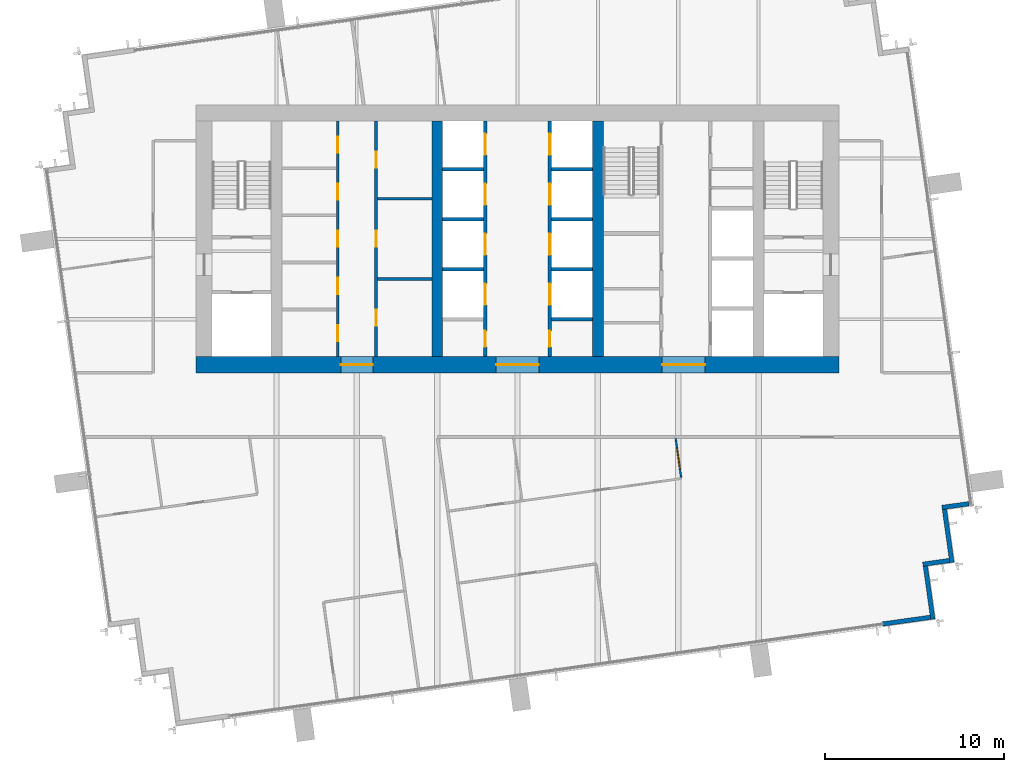
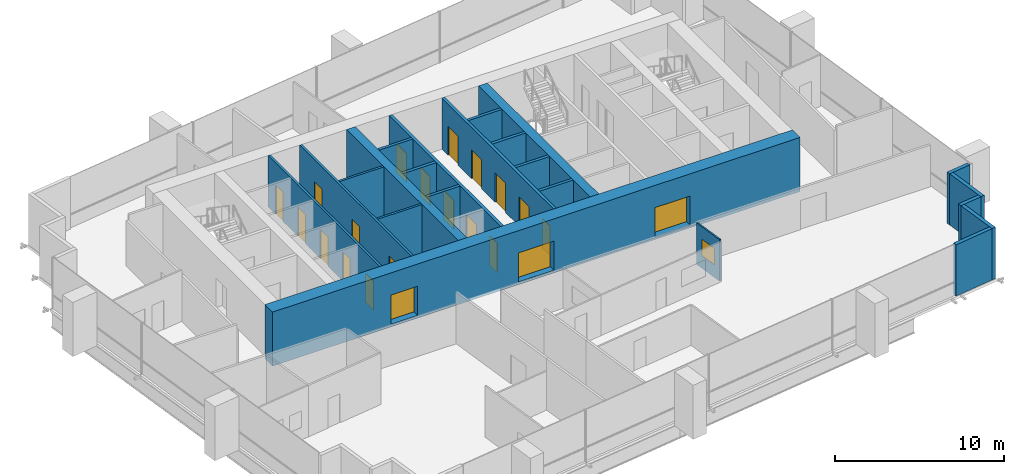
# One storey, part 9 of 12: 22 walls, 21 doors, 1 window, 22 openings.
"""IFC4 building model written with IfcOpenShell, lengths in metres."""

from ifc_helpers import new_model, si_unit, direction, frame, frame_2d, origin, place, context, subcontext, project, spatial, rectangle, extrude, material, layer, layer_set, type_object, element, fill, save


model = new_model("IFC4")

# Units and contexts
model_context = context("Model", 3, precision=1e-05, world=origin(), true_north=direction((0.0, 1.0)))
body_context = subcontext(model_context, "Body", "Model", "MODEL_VIEW")
ifc_project = project(units=[si_unit("LENGTHUNIT", "METRE"), si_unit("AREAUNIT", "SQUARE_METRE"), si_unit("VOLUMEUNIT", "CUBIC_METRE"), si_unit("PLANEANGLEUNIT", "RADIAN"), si_unit("MASSUNIT", "GRAM", prefix="KILO")], contexts=[model_context])

# Site, building, storey
site_placement = place(None, origin())
site = spatial("IfcSite", under=ifc_project, at=site_placement, CompositionType="ELEMENT")
building_placement = place(site_placement, origin())
building = spatial("IfcBuilding", under=site, at=building_placement, Name="Rattan Terrace Tower", CompositionType="ELEMENT")
storey_placement = place(building_placement, frame((0.0, 0.0, 259.0)))
storey = spatial("IfcBuildingStorey", under=building, at=storey_placement, Name="L59", CompositionType="ELEMENT", Elevation=259.0)

# Wall, openings, doors
ifc_material_1 = material(Name="Gypsum board partition")
ifc_layer_1 = layer(ifc_material_1, 0.14990234375)
ifc_layer_set_1 = layer_set([ifc_layer_1], Name="Core partition 150")
wall_type_1 = type_object("IfcWallType", Name="Core partition 150", PredefinedType="PARTITIONING", material=ifc_layer_set_1)
wall_1_placement = place(storey_placement, frame((-10.074951171875, -6.60009765625, 0.0), z_axis=(0.0, 0.0, 1.0), x_axis=(0.0, 1.0, 0.0)))
wall_1 = element("IfcWall", 1, at=wall_1_placement, inside=storey, type_object=wall_type_1, Name="Core room wall", PredefinedType="PARTITIONING", context=body_context, shape_type="SweptSolid", body=[
    extrude(rectangle(XDim=13.2001953125, YDim=0.14990234375, at=frame_2d((6.60009765625, 0.0))), origin(), (0.0, 0.0, 1.0), 3.699951171875),
])
opening_1_placement = place(wall_1_placement, frame((0.8701171875, 0.0, 0.0)))
opening_1 = element("IfcOpeningElement", 2, at=opening_1_placement, cuts=wall_1, Name="Opening L59-D005", PredefinedType="OPENING", context=body_context, shape_type="SweptSolid", body=[
    extrude(rectangle(XDim=0.89990234375, YDim=2.10009765625, at=frame_2d((0.449951171875, 1.050048828125))), frame((0.0, 0.08544921875, 0.0), z_axis=(0.0, -1.0, 0.0), x_axis=(1.0, 0.0, 0.0)), (0.0, 0.0, 1.0), 0.1708984375),
])
opening_2_placement = place(wall_1_placement, frame((3.510009765625, 0.0, 0.0)))
opening_2 = element("IfcOpeningElement", 3, at=opening_2_placement, cuts=wall_1, Name="Opening L59-D006", PredefinedType="OPENING", context=body_context, shape_type="SweptSolid", body=[
    extrude(rectangle(XDim=0.89990234375, YDim=2.10009765625, at=frame_2d((0.449951171875, 1.050048828125))), frame((0.0, 0.08544921875, 0.0), z_axis=(0.0, -1.0, 0.0), x_axis=(1.0, 0.0, 0.0)), (0.0, 0.0, 1.0), 0.1708984375),
])
opening_3_placement = place(wall_1_placement, frame((6.14990234375, 0.0, 0.0)))
opening_3 = element("IfcOpeningElement", 4, at=opening_3_placement, cuts=wall_1, Name="Opening L59-D007", PredefinedType="OPENING", context=body_context, shape_type="SweptSolid", body=[
    extrude(rectangle(XDim=0.89990234375, YDim=2.10009765625, at=frame_2d((0.449951171875, 1.050048828125))), frame((0.0, 0.08544921875, 0.0), z_axis=(0.0, -1.0, 0.0), x_axis=(1.0, 0.0, 0.0)), (0.0, 0.0, 1.0), 0.1708984375),
])
opening_4_placement = place(wall_1_placement, frame((8.7900390625, 0.0, 0.0)))
opening_4 = element("IfcOpeningElement", 5, at=opening_4_placement, cuts=wall_1, Name="Opening L59-D008", PredefinedType="OPENING", context=body_context, shape_type="SweptSolid", body=[
    extrude(rectangle(XDim=0.89990234375, YDim=2.10009765625, at=frame_2d((0.449951171875, 1.050048828125))), frame((0.0, 0.08544921875, 0.0), z_axis=(0.0, -1.0, 0.0), x_axis=(1.0, 0.0, 0.0)), (0.0, 0.0, 1.0), 0.1708984375),
])
opening_5_placement = place(wall_1_placement, frame((11.429931640625, 0.0, 0.0)))
opening_5 = element("IfcOpeningElement", 6, at=opening_5_placement, cuts=wall_1, Name="Opening L59-D009", PredefinedType="OPENING", context=body_context, shape_type="SweptSolid", body=[
    extrude(rectangle(XDim=0.89990234375, YDim=2.10009765625, at=frame_2d((0.449951171875, 1.050048828125))), frame((0.0, 0.08544921875, 0.0), z_axis=(0.0, -1.0, 0.0), x_axis=(1.0, 0.0, 0.0)), (0.0, 0.0, 1.0), 0.1708984375),
])
ifc_material_2 = material(Name="Hollow-metal fire door leaf")
door_type_1 = type_object("IfcDoorType", Name="Core service room door 900", OperationType="NOTDEFINED", PredefinedType="DOOR", material=ifc_material_2)
door_1_placement = place(opening_1_placement, origin())
door_1 = element("IfcDoor", 7, at=door_1_placement, inside=storey, type_object=door_type_1, Name="Door L59-D005", OperationType="SINGLE_SWING_LEFT", OverallHeight=2.10009765625, OverallWidth=0.89990234375, PredefinedType="DOOR", context=body_context, shape_type="SweptSolid", body=[
    extrude(rectangle(XDim=0.89990234375, YDim=2.10009765625, at=frame_2d((0.449951171875, 1.050048828125))), frame((0.0, 0.02490234375, 0.0), z_axis=(0.0, -1.0, 0.0), x_axis=(1.0, 0.0, 0.0)), (0.0, 0.0, 1.0), 0.050048828125),
])
fill(opening_1, door_1)
door_2_placement = place(opening_2_placement, origin())
door_2 = element("IfcDoor", 8, at=door_2_placement, inside=storey, type_object=door_type_1, Name="Door L59-D006", OperationType="SINGLE_SWING_RIGHT", OverallHeight=2.10009765625, OverallWidth=0.89990234375, PredefinedType="DOOR", context=body_context, shape_type="SweptSolid", body=[
    extrude(rectangle(XDim=0.89990234375, YDim=2.10009765625, at=frame_2d((0.449951171875, 1.050048828125))), frame((0.0, 0.02490234375, 0.0), z_axis=(0.0, -1.0, 0.0), x_axis=(1.0, 0.0, 0.0)), (0.0, 0.0, 1.0), 0.050048828125),
])
fill(opening_2, door_2)
door_3_placement = place(opening_3_placement, origin())
door_3 = element("IfcDoor", 9, at=door_3_placement, inside=storey, type_object=door_type_1, Name="Door L59-D007", OperationType="SINGLE_SWING_LEFT", OverallHeight=2.10009765625, OverallWidth=0.89990234375, PredefinedType="DOOR", context=body_context, shape_type="SweptSolid", body=[
    extrude(rectangle(XDim=0.89990234375, YDim=2.10009765625, at=frame_2d((0.449951171875, 1.050048828125))), frame((0.0, 0.02490234375, 0.0), z_axis=(0.0, -1.0, 0.0), x_axis=(1.0, 0.0, 0.0)), (0.0, 0.0, 1.0), 0.050048828125),
])
fill(opening_3, door_3)
door_4_placement = place(opening_4_placement, origin())
door_4 = element("IfcDoor", 10, at=door_4_placement, inside=storey, type_object=door_type_1, Name="Door L59-D008", OperationType="SINGLE_SWING_RIGHT", OverallHeight=2.10009765625, OverallWidth=0.89990234375, PredefinedType="DOOR", context=body_context, shape_type="SweptSolid", body=[
    extrude(rectangle(XDim=0.89990234375, YDim=2.10009765625, at=frame_2d((0.449951171875, 1.050048828125))), frame((0.0, 0.02490234375, 0.0), z_axis=(0.0, -1.0, 0.0), x_axis=(1.0, 0.0, 0.0)), (0.0, 0.0, 1.0), 0.050048828125),
])
fill(opening_4, door_4)
door_5_placement = place(opening_5_placement, origin())
door_5 = element("IfcDoor", 11, at=door_5_placement, inside=storey, type_object=door_type_1, Name="Door L59-D009", OperationType="SINGLE_SWING_LEFT", OverallHeight=2.10009765625, OverallWidth=0.89990234375, PredefinedType="DOOR", context=body_context, shape_type="SweptSolid", body=[
    extrude(rectangle(XDim=0.89990234375, YDim=2.10009765625, at=frame_2d((0.449951171875, 1.050048828125))), frame((0.0, 0.02490234375, 0.0), z_axis=(0.0, -1.0, 0.0), x_axis=(1.0, 0.0, 0.0)), (0.0, 0.0, 1.0), 0.050048828125),
])
fill(opening_5, door_5)

wall_2_placement = place(storey_placement, frame((-7.925048828125, -6.60009765625, 0.0), z_axis=(0.0, 0.0, 1.0), x_axis=(0.0, 1.0, 0.0)))
wall_2 = element("IfcWall", 12, at=wall_2_placement, inside=storey, type_object=wall_type_1, Name="Core room wall", PredefinedType="PARTITIONING", context=body_context, shape_type="SweptSolid", body=[
    extrude(rectangle(XDim=13.2001953125, YDim=0.14990234375, at=frame_2d((6.60009765625, 0.0))), origin(), (0.0, 0.0, 1.0), 3.699951171875),
])
opening_6_placement = place(wall_2_placement, frame((1.72802734375, 0.0, 0.0)))
opening_6 = element("IfcOpeningElement", 13, at=opening_6_placement, cuts=wall_2, Name="Opening L59-D010", PredefinedType="OPENING", context=body_context, shape_type="SweptSolid", body=[
    extrude(rectangle(XDim=0.89990234375, YDim=2.10009765625, at=frame_2d((0.449951171875, 1.050048828125))), frame((0.0, 0.08544921875, 0.0), z_axis=(0.0, -1.0, 0.0), x_axis=(1.0, 0.0, 0.0)), (0.0, 0.0, 1.0), 0.1708984375),
])
opening_7_placement = place(wall_2_placement, frame((6.14990234375, 0.0, 0.0)))
opening_7 = element("IfcOpeningElement", 14, at=opening_7_placement, cuts=wall_2, Name="Opening L59-D011", PredefinedType="OPENING", context=body_context, shape_type="SweptSolid", body=[
    extrude(rectangle(XDim=0.89990234375, YDim=2.10009765625, at=frame_2d((0.449951171875, 1.050048828125))), frame((0.0, 0.08544921875, 0.0), z_axis=(0.0, -1.0, 0.0), x_axis=(1.0, 0.0, 0.0)), (0.0, 0.0, 1.0), 0.1708984375),
])
opening_8_placement = place(wall_2_placement, frame((10.572021484375, 0.0, 0.0)))
opening_8 = element("IfcOpeningElement", 15, at=opening_8_placement, cuts=wall_2, Name="Opening L59-D012", PredefinedType="OPENING", context=body_context, shape_type="SweptSolid", body=[
    extrude(rectangle(XDim=0.89990234375, YDim=2.10009765625, at=frame_2d((0.449951171875, 1.050048828125))), frame((0.0, 0.08544921875, 0.0), z_axis=(0.0, -1.0, 0.0), x_axis=(1.0, 0.0, 0.0)), (0.0, 0.0, 1.0), 0.1708984375),
])
door_6_placement = place(opening_6_placement, origin())
door_6 = element("IfcDoor", 16, at=door_6_placement, inside=storey, type_object=door_type_1, Name="Door L59-D010", OperationType="SINGLE_SWING_RIGHT", OverallHeight=2.10009765625, OverallWidth=0.89990234375, PredefinedType="DOOR", context=body_context, shape_type="SweptSolid", body=[
    extrude(rectangle(XDim=0.89990234375, YDim=2.10009765625, at=frame_2d((0.449951171875, 1.050048828125))), frame((0.0, 0.02490234375, 0.0), z_axis=(0.0, -1.0, 0.0), x_axis=(1.0, 0.0, 0.0)), (0.0, 0.0, 1.0), 0.050048828125),
])
fill(opening_6, door_6)
door_7_placement = place(opening_7_placement, origin())
door_7 = element("IfcDoor", 17, at=door_7_placement, inside=storey, type_object=door_type_1, Name="Door L59-D011", OperationType="SINGLE_SWING_LEFT", OverallHeight=2.10009765625, OverallWidth=0.89990234375, PredefinedType="DOOR", context=body_context, shape_type="SweptSolid", body=[
    extrude(rectangle(XDim=0.89990234375, YDim=2.10009765625, at=frame_2d((0.449951171875, 1.050048828125))), frame((0.0, 0.02490234375, 0.0), z_axis=(0.0, -1.0, 0.0), x_axis=(1.0, 0.0, 0.0)), (0.0, 0.0, 1.0), 0.050048828125),
])
fill(opening_7, door_7)
door_8_placement = place(opening_8_placement, origin())
door_8 = element("IfcDoor", 18, at=door_8_placement, inside=storey, type_object=door_type_1, Name="Door L59-D012", OperationType="SINGLE_SWING_RIGHT", OverallHeight=2.10009765625, OverallWidth=0.89990234375, PredefinedType="DOOR", context=body_context, shape_type="SweptSolid", body=[
    extrude(rectangle(XDim=0.89990234375, YDim=2.10009765625, at=frame_2d((0.449951171875, 1.050048828125))), frame((0.0, 0.02490234375, 0.0), z_axis=(0.0, -1.0, 0.0), x_axis=(1.0, 0.0, 0.0)), (0.0, 0.0, 1.0), 0.050048828125),
])
fill(opening_8, door_8)

# Walls
for number, where, z_axis, x_axis, name in (
    (19, (-7.85009765625, -2.243896484375, 0.0), (0.0, 0.0, 1.0), (1.0, 0.0, 0.0), "Core room wall"),
    (20, (-7.85009765625, 2.243896484375, 0.0), (0.0, 0.0, 1.0), (1.0, 0.0, 0.0), "Core room wall"),
):
    element("IfcWall", number, at=place(storey_placement, frame(where, z_axis=z_axis, x_axis=x_axis)), inside=storey, type_object=wall_type_1, Name=name, PredefinedType="PARTITIONING", context=body_context, shape_type="SweptSolid", body=[
        extrude(rectangle(XDim=3.050048828125, YDim=0.14990234375, at=frame_2d((1.52490234375, 0.0))), origin(), (0.0, 0.0, 1.0), 3.699951171875),
    ])

# Wall, openings, doors
ifc_material_3 = material(Name="Concrete C50/60", Category="concrete")
ifc_layer_2 = layer(ifc_material_3, 0.89990234375)
ifc_layer_set_2 = layer_set([ifc_layer_2], Name="Core ring wall 900 C50/60")
wall_type_2 = type_object("IfcWallType", Name="Core ring wall 900 C50/60", PredefinedType="SHEAR", material=ifc_layer_set_2)
wall_3_placement = place(storey_placement, frame((-18.0, -7.050048828125, -0.199951171875), z_axis=(0.0, 0.0, 1.0), x_axis=(1.0, 0.0, 0.0)))
wall_3 = element("IfcWall", 21, at=wall_3_placement, inside=storey, type_object=wall_type_2, Name="Rear core wall south", PredefinedType="SHEAR", context=body_context, shape_type="SweptSolid", body=[
    extrude(rectangle(XDim=36.0, YDim=0.89990234375, at=frame_2d((18.0, 0.0))), origin(), (0.0, 0.0, 1.0), 3.89990234375),
])
opening_9_placement = place(wall_3_placement, frame((8.10009765625, 0.0, 0.199951171875)))
opening_9 = element("IfcOpeningElement", 22, at=opening_9_placement, cuts=wall_3, Name="Opening L59-D013", PredefinedType="OPENING", context=body_context, shape_type="SweptSolid", body=[
    extrude(rectangle(XDim=1.800048828125, YDim=2.10009765625, at=frame_2d((0.89990234375, 1.050048828125))), frame((0.0, 0.46044921875, 0.0), z_axis=(0.0, -1.0, 0.0), x_axis=(1.0, 0.0, 0.0)), (0.0, 0.0, 1.0), 0.9208984375),
])
opening_10_placement = place(wall_3_placement, frame((16.800048828125, 0.0, 0.199951171875)))
opening_10 = element("IfcOpeningElement", 23, at=opening_10_placement, cuts=wall_3, Name="Opening L59-D016", PredefinedType="OPENING", context=body_context, shape_type="SweptSolid", body=[
    extrude(rectangle(XDim=2.39990234375, YDim=2.10009765625, at=frame_2d((1.199951171875, 1.050048828125))), frame((0.0, 0.46044921875, 0.0), z_axis=(0.0, -1.0, 0.0), x_axis=(1.0, 0.0, 0.0)), (0.0, 0.0, 1.0), 0.9208984375),
])
opening_11_placement = place(wall_3_placement, frame((26.10009765625, 0.0, 0.199951171875)))
opening_11 = element("IfcOpeningElement", 24, at=opening_11_placement, cuts=wall_3, Name="Opening L59-D021", PredefinedType="OPENING", context=body_context, shape_type="SweptSolid", body=[
    extrude(rectangle(XDim=2.39990234375, YDim=2.10009765625, at=frame_2d((1.199951171875, 1.050048828125))), frame((0.0, 0.46044921875, 0.0), z_axis=(0.0, -1.0, 0.0), x_axis=(1.0, 0.0, 0.0)), (0.0, 0.0, 1.0), 0.9208984375),
])
ifc_material_4 = material(Name="Hollow-metal fire door leaf")
door_type_2 = type_object("IfcDoorType", Name="Core lift lobby door 2400", OperationType="NOTDEFINED", PredefinedType="DOOR", material=ifc_material_4)
door_9_placement = place(opening_10_placement, origin())
door_9 = element("IfcDoor", 25, at=door_9_placement, inside=storey, type_object=door_type_2, Name="Door L59-D016", OperationType="DOUBLE_DOOR_DOUBLE_SWING", OverallHeight=2.10009765625, OverallWidth=2.39990234375, PredefinedType="DOOR", context=body_context, shape_type="SweptSolid", body=[
    extrude(rectangle(XDim=2.39990234375, YDim=2.10009765625, at=frame_2d((1.199951171875, 1.050048828125))), frame((0.0, 0.02490234375, 0.0), z_axis=(0.0, -1.0, 0.0), x_axis=(1.0, 0.0, 0.0)), (0.0, 0.0, 1.0), 0.050048828125),
])
fill(opening_10, door_9)
door_10_placement = place(opening_11_placement, origin())
door_10 = element("IfcDoor", 26, at=door_10_placement, inside=storey, type_object=door_type_2, Name="Door L59-D021", OperationType="DOUBLE_DOOR_DOUBLE_SWING", OverallHeight=2.10009765625, OverallWidth=2.39990234375, PredefinedType="DOOR", context=body_context, shape_type="SweptSolid", body=[
    extrude(rectangle(XDim=2.39990234375, YDim=2.10009765625, at=frame_2d((1.199951171875, 1.050048828125))), frame((0.0, 0.02490234375, 0.0), z_axis=(0.0, -1.0, 0.0), x_axis=(1.0, 0.0, 0.0)), (0.0, 0.0, 1.0), 0.050048828125),
])
fill(opening_11, door_10)
ifc_material_5 = material(Name="Hollow-metal fire door leaf")
door_type_3 = type_object("IfcDoorType", Name="Core service room door 1800", OperationType="NOTDEFINED", PredefinedType="DOOR", material=ifc_material_5)
door_11_placement = place(opening_9_placement, origin())
door_11 = element("IfcDoor", 27, at=door_11_placement, inside=storey, type_object=door_type_3, Name="Door L59-D013", OperationType="SINGLE_SWING_LEFT", OverallHeight=2.10009765625, OverallWidth=1.800048828125, PredefinedType="DOOR", context=body_context, shape_type="SweptSolid", body=[
    extrude(rectangle(XDim=1.800048828125, YDim=2.10009765625, at=frame_2d((0.89990234375, 1.050048828125))), frame((0.0, 0.02490234375, 0.0), z_axis=(0.0, -1.0, 0.0), x_axis=(1.0, 0.0, 0.0)), (0.0, 0.0, 1.0), 0.050048828125),
])
fill(opening_9, door_11)

# Walls
ifc_material_6 = material(Name="Concrete C50/60", Category="concrete")
ifc_layer_3 = layer(ifc_material_6, 0.60009765625)
ifc_layer_set_3 = layer_set([ifc_layer_3], Name="Core spine wall 600 C50/60")
wall_type_3 = type_object("IfcWallType", Name="Core spine wall 600 C50/60", PredefinedType="SHEAR", material=ifc_layer_set_3)
for number, where, z_axis, x_axis, name in (
    (28, (-4.5, -6.60009765625, -0.199951171875), (0.0, 0.0, 1.0), (0.0, 1.0, 0.0), "Core spine wall 2"),
    (29, (4.5, -6.60009765625, -0.199951171875), (0.0, 0.0, 1.0), (0.0, 1.0, 0.0), "Core spine wall 3"),
):
    element("IfcWall", number, at=place(storey_placement, frame(where, z_axis=z_axis, x_axis=x_axis)), inside=storey, type_object=wall_type_3, Name=name, PredefinedType="SHEAR", context=body_context, shape_type="SweptSolid", body=[
        extrude(rectangle(XDim=13.2001953125, YDim=0.60009765625, at=frame_2d((6.60009765625, 0.0))), origin(), (0.0, 0.0, 1.0), 3.89990234375),
    ])
ifc_material_7 = material(Name="Insulated aluminium-clad stud wall", Category="aluminium")
ifc_layer_4 = layer(ifc_material_7, 0.25)
ifc_layer_set_4 = layer_set([ifc_layer_4], Name="Facade Riser Wall 250")
wall_type_4 = type_object("IfcWallType", Name="Facade Riser Wall 250", PredefinedType="SOLIDWALL", material=ifc_layer_set_4)
wall_4_placement = place(storey_placement, frame((20.4404296875, -21.571533203125, 0.0), z_axis=(0.0, 0.0, 1.0), x_axis=(0.990293105353, 0.138994839796, 0.0)))
element("IfcWall", 30, at=wall_4_placement, inside=storey, type_object=wall_type_4, Name="Riser wall L59-1", PredefinedType="SOLIDWALL", context=body_context, shape_type="SweptSolid", body=[
    extrude(rectangle(XDim=2.705078125, YDim=0.25, at=frame_2d((1.3525390625, 0.0))), origin(), (0.0, 0.0, 1.0), 3.699951171875),
])
wall_5_placement = place(storey_placement, frame((23.260498046875, -21.302001953125, 0.0), z_axis=(0.0, 0.0, 1.0), x_axis=(-0.138994228812, 0.990293191109, 0.0)))
element("IfcWall", 31, at=wall_5_placement, inside=storey, type_object=wall_type_4, Name="Riser wall L59-2", PredefinedType="SOLIDWALL", context=body_context, shape_type="SweptSolid", body=[
    extrude(rectangle(XDim=3.0, YDim=0.25, at=frame_2d((1.5, 0.0))), origin(), (0.0, 0.0, 1.0), 3.699951171875),
])
wall_6_placement = place(storey_placement, frame((22.7021484375, -18.224853515625, 0.0), z_axis=(0.0, 0.0, 1.0), x_axis=(0.990243596651, 0.13934711799, 0.0)))
element("IfcWall", 32, at=wall_6_placement, inside=storey, type_object=wall_type_4, Name="Riser wall L59-3", PredefinedType="SOLIDWALL", context=body_context, shape_type="SweptSolid", body=[
    extrude(rectangle(XDim=1.499755859375, YDim=0.25, at=frame_2d((0.75, 0.0))), origin(), (0.0, 0.0, 1.0), 3.699951171875),
])
wall_7_placement = place(storey_placement, frame((24.328369140625, -18.1220703125, 0.0), z_axis=(0.0, 0.0, 1.0), x_axis=(-0.139358350296, 0.990242015975, 0.0)))
element("IfcWall", 33, at=wall_7_placement, inside=storey, type_object=wall_type_4, Name="Riser wall L59-4", PredefinedType="SOLIDWALL", context=body_context, shape_type="SweptSolid", body=[
    extrude(rectangle(XDim=2.999267578125, YDim=0.25, at=frame_2d((1.49951171875, 0.0))), origin(), (0.0, 0.0, 1.0), 3.699951171875),
])
wall_8_placement = place(storey_placement, frame((23.769287109375, -15.045654296875, 0.0), z_axis=(0.0, 0.0, 1.0), x_axis=(0.990260716096, 0.139225407725, 0.0)))
element("IfcWall", 34, at=wall_8_placement, inside=storey, type_object=wall_type_4, Name="Riser wall L59-5", PredefinedType="SOLIDWALL", context=body_context, shape_type="SweptSolid", body=[
    extrude(rectangle(XDim=1.525634765625, YDim=0.25, at=frame_2d((0.7626953125, 0.0))), origin(), (0.0, 0.0, 1.0), 3.699951171875),
])

# Wall, opening, window
ifc_material_8 = material(Name="Gypsum board partition on steel studs", Category="steel")
ifc_layer_5 = layer(ifc_material_8, 0.10009765625)
ifc_layer_set_5 = layer_set([ifc_layer_5], Name="Floors Partition 100")
wall_type_5 = type_object("IfcWallType", Name="Floors Partition 100", PredefinedType="PARTITIONING", material=ifc_layer_set_5)
wall_9_placement = place(storey_placement, frame((9.1640625, -13.3720703125, 0.0), z_axis=(0.0, 0.0, 1.0), x_axis=(-0.139301888521, 0.99024996029, 0.0)))
wall_9 = element("IfcWall", 35, at=wall_9_placement, inside=storey, type_object=wall_type_5, Name="pt-L59-030", PredefinedType="PARTITIONING", context=body_context, shape_type="SweptSolid", body=[
    extrude(rectangle(XDim=2.225830078125, YDim=0.10009765625, at=frame_2d((1.11279296875, 0.0))), origin(), (0.0, 0.0, 1.0), 3.0),
])
opening_12_placement = place(wall_9_placement, frame((0.5048828125, 0.0, 0.89990234375)))
opening_12 = element("IfcOpeningElement", 36, at=opening_12_placement, cuts=wall_9, Name="Opening L59-W102", PredefinedType="OPENING", context=body_context, shape_type="SweptSolid", body=[
    extrude(rectangle(XDim=1.199951171875, YDim=1.199951171875, at=frame_2d((0.60009765625, 0.60009765625))), frame((0.0, 0.060546875, 0.0), z_axis=(0.0, -1.0, 0.0), x_axis=(1.0, 0.0, 0.0)), (0.0, 0.0, 1.0), 0.12109375),
])
ifc_material_9 = material(Name="Glass, clear, fixed in aluminium frame", Category="aluminium")
window_type = type_object("IfcWindowType", Name="Interior Vision Window 1200x1200", PartitioningType="SINGLE_PANEL", PredefinedType="WINDOW", material=ifc_material_9)
window_placement = place(opening_12_placement, origin())
window = element("IfcWindow", 37, at=window_placement, inside=storey, type_object=window_type, Name="w-L59-102", OverallHeight=1.199951171875, OverallWidth=1.199951171875, PartitioningType="SINGLE_PANEL", PredefinedType="WINDOW", context=body_context, shape_type="SweptSolid", body=[
    extrude(rectangle(XDim=1.199951171875, YDim=1.199951171875, at=frame_2d((0.60009765625, 0.60009765625))), frame((0.0, 0.030029296875, 0.0), z_axis=(0.0, -1.0, 0.0), x_axis=(1.0, 0.0, 0.0)), (0.0, 0.0, 1.0), 0.06005859375),
])
fill(opening_12, window)

# Wall, openings, doors
ifc_material_10 = material(Name="Gypsum shaft wall system")
ifc_layer_6 = layer(ifc_material_10, 0.199951171875)
ifc_layer_set_6 = layer_set([ifc_layer_6], Name="Lift shaft wall 200")
wall_type_6 = type_object("IfcWallType", Name="Lift shaft wall 200", PredefinedType="PARTITIONING", material=ifc_layer_set_6)
wall_10_placement = place(storey_placement, frame((-1.800048828125, -6.60009765625, 0.0), z_axis=(0.0, 0.0, 1.0), x_axis=(0.0, 1.0, 0.0)))
wall_10 = element("IfcWall", 38, at=wall_10_placement, inside=storey, type_object=wall_type_6, Name="Lift shaft front wall", PredefinedType="PARTITIONING", context=body_context, shape_type="SweptSolid", body=[
    extrude(rectangle(XDim=13.2001953125, YDim=0.199951171875, at=frame_2d((6.60009765625, 0.0))), origin(), (0.0, 0.0, 1.0), 3.699951171875),
])
opening_13_placement = place(wall_10_placement, frame((0.550048828125, 0.0, 0.0)))
opening_13 = element("IfcOpeningElement", 39, at=opening_13_placement, cuts=wall_10, Name="Opening L59-D014", PredefinedType="OPENING", context=body_context, shape_type="SweptSolid", body=[
    extrude(rectangle(XDim=0.89990234375, YDim=2.10009765625, at=frame_2d((0.449951171875, 1.050048828125))), frame((0.0, 0.110595703125, 0.0), z_axis=(0.0, -1.0, 0.0), x_axis=(1.0, 0.0, 0.0)), (0.0, 0.0, 1.0), 0.220947265625),
])
opening_14_placement = place(wall_10_placement, frame((2.89990234375, 0.0, 0.0)))
opening_14 = element("IfcOpeningElement", 40, at=opening_14_placement, cuts=wall_10, Name="Opening L59-LD-HR1", PredefinedType="OPENING", context=body_context, shape_type="SweptSolid", body=[
    extrude(rectangle(XDim=1.199951171875, YDim=2.10009765625, at=frame_2d((0.60009765625, 1.050048828125))), frame((0.0, 0.110595703125, 0.0), z_axis=(0.0, -1.0, 0.0), x_axis=(1.0, 0.0, 0.0)), (0.0, 0.0, 1.0), 0.220947265625),
])
opening_15_placement = place(wall_10_placement, frame((5.699951171875, 0.0, 0.0)))
opening_15 = element("IfcOpeningElement", 41, at=opening_15_placement, cuts=wall_10, Name="Opening L59-LD-HR2", PredefinedType="OPENING", context=body_context, shape_type="SweptSolid", body=[
    extrude(rectangle(XDim=1.199951171875, YDim=2.10009765625, at=frame_2d((0.60009765625, 1.050048828125))), frame((0.0, 0.110595703125, 0.0), z_axis=(0.0, -1.0, 0.0), x_axis=(1.0, 0.0, 0.0)), (0.0, 0.0, 1.0), 0.220947265625),
])
opening_16_placement = place(wall_10_placement, frame((8.5, 0.0, 0.0)))
opening_16 = element("IfcOpeningElement", 42, at=opening_16_placement, cuts=wall_10, Name="Opening L59-LD-HR3", PredefinedType="OPENING", context=body_context, shape_type="SweptSolid", body=[
    extrude(rectangle(XDim=1.199951171875, YDim=2.10009765625, at=frame_2d((0.60009765625, 1.050048828125))), frame((0.0, 0.110595703125, 0.0), z_axis=(0.0, -1.0, 0.0), x_axis=(1.0, 0.0, 0.0)), (0.0, 0.0, 1.0), 0.220947265625),
])
opening_17_placement = place(wall_10_placement, frame((11.300048828125, 0.0, 0.0)))
opening_17 = element("IfcOpeningElement", 43, at=opening_17_placement, cuts=wall_10, Name="Opening L59-LD-HR4", PredefinedType="OPENING", context=body_context, shape_type="SweptSolid", body=[
    extrude(rectangle(XDim=1.199951171875, YDim=2.10009765625, at=frame_2d((0.60009765625, 1.050048828125))), frame((0.0, 0.110595703125, 0.0), z_axis=(0.0, -1.0, 0.0), x_axis=(1.0, 0.0, 0.0)), (0.0, 0.0, 1.0), 0.220947265625),
])
ifc_material_11 = material(Name="Brushed stainless landing door panel")
door_type_4 = type_object("IfcDoorType", Name="Core lift landing door 1200", OperationType="DOUBLE_DOOR_SLIDING", PredefinedType="DOOR", material=ifc_material_11)
door_12_placement = place(opening_14_placement, origin())
door_12 = element("IfcDoor", 44, at=door_12_placement, inside=storey, type_object=door_type_4, Name="Door L59-LD-HR1", OperationType="DOUBLE_DOOR_SLIDING", OverallHeight=2.10009765625, OverallWidth=1.199951171875, PredefinedType="DOOR", context=body_context, shape_type="SweptSolid", body=[
    extrude(rectangle(XDim=1.199951171875, YDim=2.10009765625, at=frame_2d((0.60009765625, 1.050048828125))), frame((0.0, 0.02490234375, 0.0), z_axis=(0.0, -1.0, 0.0), x_axis=(1.0, 0.0, 0.0)), (0.0, 0.0, 1.0), 0.050048828125),
])
fill(opening_14, door_12)
door_13_placement = place(opening_15_placement, origin())
door_13 = element("IfcDoor", 45, at=door_13_placement, inside=storey, type_object=door_type_4, Name="Door L59-LD-HR2", OperationType="DOUBLE_DOOR_SLIDING", OverallHeight=2.10009765625, OverallWidth=1.199951171875, PredefinedType="DOOR", context=body_context, shape_type="SweptSolid", body=[
    extrude(rectangle(XDim=1.199951171875, YDim=2.10009765625, at=frame_2d((0.60009765625, 1.050048828125))), frame((0.0, 0.02490234375, 0.0), z_axis=(0.0, -1.0, 0.0), x_axis=(1.0, 0.0, 0.0)), (0.0, 0.0, 1.0), 0.050048828125),
])
fill(opening_15, door_13)
door_14_placement = place(opening_16_placement, origin())
door_14 = element("IfcDoor", 46, at=door_14_placement, inside=storey, type_object=door_type_4, Name="Door L59-LD-HR3", OperationType="DOUBLE_DOOR_SLIDING", OverallHeight=2.10009765625, OverallWidth=1.199951171875, PredefinedType="DOOR", context=body_context, shape_type="SweptSolid", body=[
    extrude(rectangle(XDim=1.199951171875, YDim=2.10009765625, at=frame_2d((0.60009765625, 1.050048828125))), frame((0.0, 0.02490234375, 0.0), z_axis=(0.0, -1.0, 0.0), x_axis=(1.0, 0.0, 0.0)), (0.0, 0.0, 1.0), 0.050048828125),
])
fill(opening_16, door_14)
door_15_placement = place(opening_17_placement, origin())
door_15 = element("IfcDoor", 47, at=door_15_placement, inside=storey, type_object=door_type_4, Name="Door L59-LD-HR4", OperationType="DOUBLE_DOOR_SLIDING", OverallHeight=2.10009765625, OverallWidth=1.199951171875, PredefinedType="DOOR", context=body_context, shape_type="SweptSolid", body=[
    extrude(rectangle(XDim=1.199951171875, YDim=2.10009765625, at=frame_2d((0.60009765625, 1.050048828125))), frame((0.0, 0.02490234375, 0.0), z_axis=(0.0, -1.0, 0.0), x_axis=(1.0, 0.0, 0.0)), (0.0, 0.0, 1.0), 0.050048828125),
])
fill(opening_17, door_15)
ifc_material_12 = material(Name="Hollow-metal fire door leaf")
door_type_5 = type_object("IfcDoorType", Name="Core riser door 900", OperationType="NOTDEFINED", PredefinedType="DOOR", material=ifc_material_12)
door_16_placement = place(opening_13_placement, origin())
door_16 = element("IfcDoor", 48, at=door_16_placement, inside=storey, type_object=door_type_5, Name="Door L59-D014", OperationType="SINGLE_SWING_RIGHT", OverallHeight=2.10009765625, OverallWidth=0.89990234375, PredefinedType="DOOR", context=body_context, shape_type="SweptSolid", body=[
    extrude(rectangle(XDim=0.89990234375, YDim=2.10009765625, at=frame_2d((0.449951171875, 1.050048828125))), frame((0.0, 0.02490234375, 0.0), z_axis=(0.0, -1.0, 0.0), x_axis=(1.0, 0.0, 0.0)), (0.0, 0.0, 1.0), 0.050048828125),
])
fill(opening_13, door_16)

wall_11_placement = place(storey_placement, frame((1.800048828125, -6.60009765625, 0.0), z_axis=(0.0, 0.0, 1.0), x_axis=(0.0, 1.0, 0.0)))
wall_11 = element("IfcWall", 49, at=wall_11_placement, inside=storey, type_object=wall_type_6, Name="Lift shaft front wall", PredefinedType="PARTITIONING", context=body_context, shape_type="SweptSolid", body=[
    extrude(rectangle(XDim=13.2001953125, YDim=0.199951171875, at=frame_2d((6.60009765625, 0.0))), origin(), (0.0, 0.0, 1.0), 3.699951171875),
])
opening_18_placement = place(wall_11_placement, frame((0.550048828125, 0.0, 0.0)))
opening_18 = element("IfcOpeningElement", 50, at=opening_18_placement, cuts=wall_11, Name="Opening L59-D015", PredefinedType="OPENING", context=body_context, shape_type="SweptSolid", body=[
    extrude(rectangle(XDim=0.89990234375, YDim=2.10009765625, at=frame_2d((0.449951171875, 1.050048828125))), frame((0.0, 0.110595703125, 0.0), z_axis=(0.0, -1.0, 0.0), x_axis=(1.0, 0.0, 0.0)), (0.0, 0.0, 1.0), 0.220947265625),
])
opening_19_placement = place(wall_11_placement, frame((2.89990234375, 0.0, 0.0)))
opening_19 = element("IfcOpeningElement", 51, at=opening_19_placement, cuts=wall_11, Name="Opening L59-LD-HR5", PredefinedType="OPENING", context=body_context, shape_type="SweptSolid", body=[
    extrude(rectangle(XDim=1.199951171875, YDim=2.10009765625, at=frame_2d((0.60009765625, 1.050048828125))), frame((0.0, 0.110595703125, 0.0), z_axis=(0.0, -1.0, 0.0), x_axis=(1.0, 0.0, 0.0)), (0.0, 0.0, 1.0), 0.220947265625),
])
opening_20_placement = place(wall_11_placement, frame((5.699951171875, 0.0, 0.0)))
opening_20 = element("IfcOpeningElement", 52, at=opening_20_placement, cuts=wall_11, Name="Opening L59-LD-HR6", PredefinedType="OPENING", context=body_context, shape_type="SweptSolid", body=[
    extrude(rectangle(XDim=1.199951171875, YDim=2.10009765625, at=frame_2d((0.60009765625, 1.050048828125))), frame((0.0, 0.110595703125, 0.0), z_axis=(0.0, -1.0, 0.0), x_axis=(1.0, 0.0, 0.0)), (0.0, 0.0, 1.0), 0.220947265625),
])
opening_21_placement = place(wall_11_placement, frame((8.5, 0.0, 0.0)))
opening_21 = element("IfcOpeningElement", 53, at=opening_21_placement, cuts=wall_11, Name="Opening L59-LD-HR7", PredefinedType="OPENING", context=body_context, shape_type="SweptSolid", body=[
    extrude(rectangle(XDim=1.199951171875, YDim=2.10009765625, at=frame_2d((0.60009765625, 1.050048828125))), frame((0.0, 0.110595703125, 0.0), z_axis=(0.0, -1.0, 0.0), x_axis=(1.0, 0.0, 0.0)), (0.0, 0.0, 1.0), 0.220947265625),
])
opening_22_placement = place(wall_11_placement, frame((11.300048828125, 0.0, 0.0)))
opening_22 = element("IfcOpeningElement", 54, at=opening_22_placement, cuts=wall_11, Name="Opening L59-LD-HR8", PredefinedType="OPENING", context=body_context, shape_type="SweptSolid", body=[
    extrude(rectangle(XDim=1.199951171875, YDim=2.10009765625, at=frame_2d((0.60009765625, 1.050048828125))), frame((0.0, 0.110595703125, 0.0), z_axis=(0.0, -1.0, 0.0), x_axis=(1.0, 0.0, 0.0)), (0.0, 0.0, 1.0), 0.220947265625),
])
door_17_placement = place(opening_19_placement, origin())
door_17 = element("IfcDoor", 55, at=door_17_placement, inside=storey, type_object=door_type_4, Name="Door L59-LD-HR5", OperationType="DOUBLE_DOOR_SLIDING", OverallHeight=2.10009765625, OverallWidth=1.199951171875, PredefinedType="DOOR", context=body_context, shape_type="SweptSolid", body=[
    extrude(rectangle(XDim=1.199951171875, YDim=2.10009765625, at=frame_2d((0.60009765625, 1.050048828125))), frame((0.0, 0.02490234375, 0.0), z_axis=(0.0, -1.0, 0.0), x_axis=(1.0, 0.0, 0.0)), (0.0, 0.0, 1.0), 0.050048828125),
])
fill(opening_19, door_17)
door_18_placement = place(opening_20_placement, origin())
door_18 = element("IfcDoor", 56, at=door_18_placement, inside=storey, type_object=door_type_4, Name="Door L59-LD-HR6", OperationType="DOUBLE_DOOR_SLIDING", OverallHeight=2.10009765625, OverallWidth=1.199951171875, PredefinedType="DOOR", context=body_context, shape_type="SweptSolid", body=[
    extrude(rectangle(XDim=1.199951171875, YDim=2.10009765625, at=frame_2d((0.60009765625, 1.050048828125))), frame((0.0, 0.02490234375, 0.0), z_axis=(0.0, -1.0, 0.0), x_axis=(1.0, 0.0, 0.0)), (0.0, 0.0, 1.0), 0.050048828125),
])
fill(opening_20, door_18)
door_19_placement = place(opening_21_placement, origin())
door_19 = element("IfcDoor", 57, at=door_19_placement, inside=storey, type_object=door_type_4, Name="Door L59-LD-HR7", OperationType="DOUBLE_DOOR_SLIDING", OverallHeight=2.10009765625, OverallWidth=1.199951171875, PredefinedType="DOOR", context=body_context, shape_type="SweptSolid", body=[
    extrude(rectangle(XDim=1.199951171875, YDim=2.10009765625, at=frame_2d((0.60009765625, 1.050048828125))), frame((0.0, 0.02490234375, 0.0), z_axis=(0.0, -1.0, 0.0), x_axis=(1.0, 0.0, 0.0)), (0.0, 0.0, 1.0), 0.050048828125),
])
fill(opening_21, door_19)
door_20_placement = place(opening_22_placement, origin())
door_20 = element("IfcDoor", 58, at=door_20_placement, inside=storey, type_object=door_type_4, Name="Door L59-LD-HR8", OperationType="DOUBLE_DOOR_SLIDING", OverallHeight=2.10009765625, OverallWidth=1.199951171875, PredefinedType="DOOR", context=body_context, shape_type="SweptSolid", body=[
    extrude(rectangle(XDim=1.199951171875, YDim=2.10009765625, at=frame_2d((0.60009765625, 1.050048828125))), frame((0.0, 0.02490234375, 0.0), z_axis=(0.0, -1.0, 0.0), x_axis=(1.0, 0.0, 0.0)), (0.0, 0.0, 1.0), 0.050048828125),
])
fill(opening_22, door_20)
door_21_placement = place(opening_18_placement, origin())
door_21 = element("IfcDoor", 59, at=door_21_placement, inside=storey, type_object=door_type_5, Name="Door L59-D015", OperationType="SINGLE_SWING_LEFT", OverallHeight=2.10009765625, OverallWidth=0.89990234375, PredefinedType="DOOR", context=body_context, shape_type="SweptSolid", body=[
    extrude(rectangle(XDim=0.89990234375, YDim=2.10009765625, at=frame_2d((0.449951171875, 1.050048828125))), frame((0.0, 0.02490234375, 0.0), z_axis=(0.0, -1.0, 0.0), x_axis=(1.0, 0.0, 0.0)), (0.0, 0.0, 1.0), 0.050048828125),
])
fill(opening_18, door_21)

# Walls
for number, where, z_axis, x_axis, name in (
    (60, (-4.199951171875, -1.699951171875, 0.0), (0.0, 0.0, 1.0), (1.0, 0.0, 0.0), "Lift shaft wall"),
    (61, (-4.199951171875, 1.10009765625, 0.0), (0.0, 0.0, 1.0), (1.0, 0.0, 0.0), "Lift shaft wall"),
    (62, (-4.199951171875, 3.89990234375, 0.0), (0.0, 0.0, 1.0), (1.0, 0.0, 0.0), "Lift shaft wall"),
    (63, (1.89990234375, -1.699951171875, 0.0), (0.0, 0.0, 1.0), (1.0, 0.0, 0.0), "Lift shaft wall"),
    (64, (1.89990234375, 1.10009765625, 0.0), (0.0, 0.0, 1.0), (1.0, 0.0, 0.0), "Lift shaft wall"),
    (65, (1.89990234375, 3.89990234375, 0.0), (0.0, 0.0, 1.0), (1.0, 0.0, 0.0), "Lift shaft wall"),
    (66, (1.89990234375, -4.5, 0.0), (0.0, 0.0, 1.0), (1.0, 0.0, 0.0), "Lift shaft wall"),
):
    element("IfcWall", number, at=place(storey_placement, frame(where, z_axis=z_axis, x_axis=x_axis)), inside=storey, type_object=wall_type_6, Name=name, PredefinedType="PARTITIONING", context=body_context, shape_type="SweptSolid", body=[
        extrude(rectangle(XDim=2.300048828125, YDim=0.199951171875, at=frame_2d((1.14990234375, 0.0))), origin(), (0.0, 0.0, 1.0), 3.699951171875),
    ])

save(model, "model.ifc")
